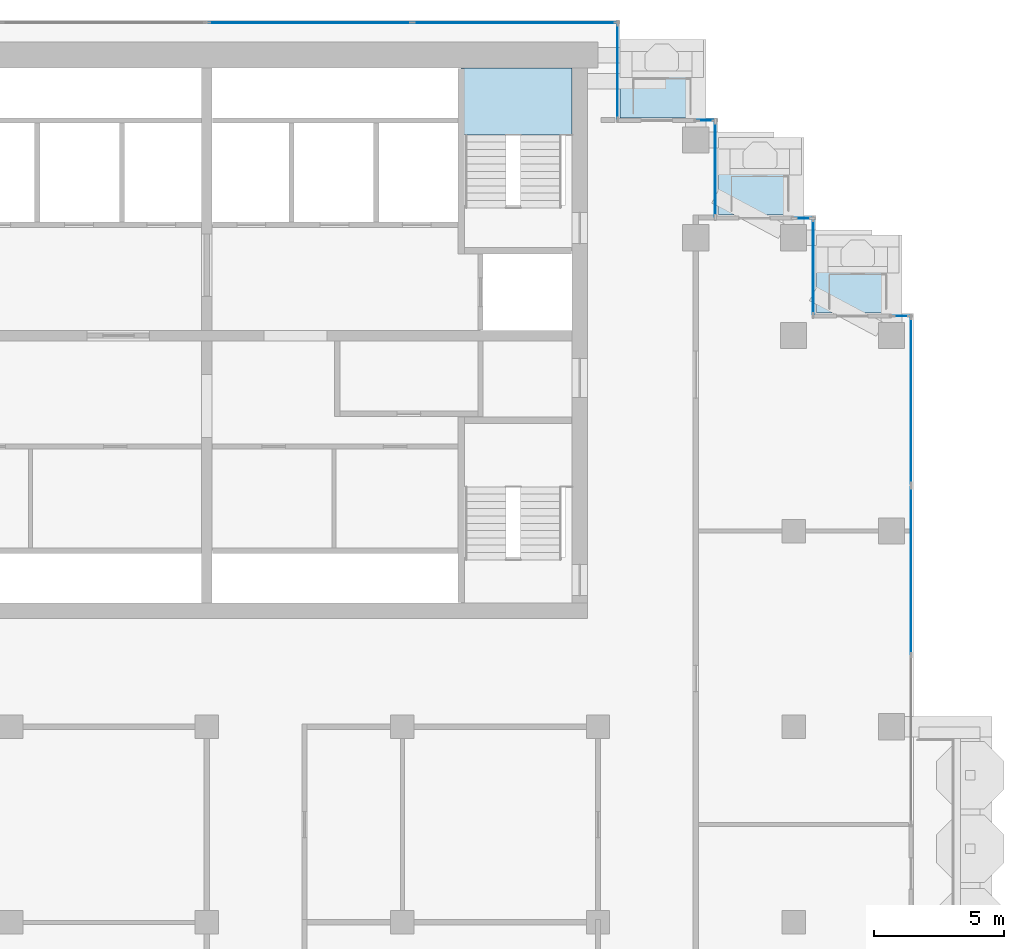
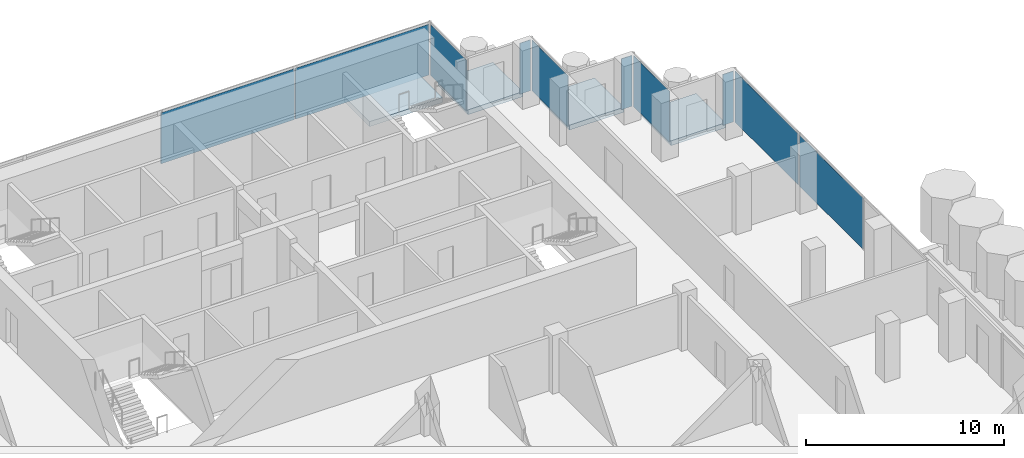
# One storey, part 10 of 18: 10 plates, 4 slabs, 10 elements without a shape of their own.
"""IFC4 building model written with IfcOpenShell, lengths in metres."""

from ifc_helpers import new_model, si_unit, direction, frame, origin, origin_2d, place, context, subcontext, project, spatial, polyline, rectangle, outline, extrude, material, layer, layer_set, type_object, element, aggregate, save


model = new_model("IFC4")

# Units and contexts
model_context = context("Model", 3, precision=1e-05, world=origin(), true_north=direction((0.0, 1.0)))
body_context = subcontext(model_context, "Body", "Model", "MODEL_VIEW")
ifc_project = project(units=[si_unit("LENGTHUNIT", "METRE"), si_unit("AREAUNIT", "SQUARE_METRE"), si_unit("VOLUMEUNIT", "CUBIC_METRE"), si_unit("PLANEANGLEUNIT", "RADIAN"), si_unit("MASSUNIT", "GRAM", prefix="KILO")], contexts=[model_context])

# Site, building, storey
site_placement = place(None, origin())
site = spatial("IfcSite", under=ifc_project, at=site_placement, CompositionType="ELEMENT")
building_placement = place(site_placement, origin())
building = spatial("IfcBuilding", under=site, at=building_placement, Name="Pilkhan Gate Tower", CompositionType="ELEMENT")
storey_placement = place(building_placement, frame((0.0, 0.0, 221.10009765625)))
storey = spatial("IfcBuildingStorey", under=building, at=storey_placement, Name="L57", CompositionType="ELEMENT", Elevation=221.10009765625)

# Slabs
ifc_material_1 = material(Name="Concrete C60/75", Category="concrete")
ifc_layer_1 = layer(ifc_material_1, 0.300048828125)
ifc_layer_set_1 = layer_set([ifc_layer_1], Name="Balcony tray slab TR300")
slab_type_1 = type_object("IfcSlabType", Name="Balcony tray slab TR300", PredefinedType="FLOOR", material=ifc_layer_set_1)
slab_1_placement = place(storey_placement, frame((0.0, 0.0, -0.300048828125)))
element("IfcSlab", 1, at=slab_1_placement, inside=storey, type_object=slab_type_1, Name="Balcony tray L57 N", PredefinedType="FLOOR", context=body_context, shape_type="SweptSolid", body=[
    extrude(outline(polyline([(94.050048828125, 90.85009765625), (94.050048828125, 93.85009765625), (90.85009765625, 93.85009765625), (90.85009765625, 90.85009765625), (94.050048828125, 90.85009765625)])), origin(), (0.0, 0.0, 1.0), 0.300048828125),
])
slab_2_placement = place(storey_placement, frame((0.0, 0.0, -0.300048828125)))
element("IfcSlab", 2, at=slab_2_placement, inside=storey, type_object=slab_type_1, Name="Balcony tray L57 N", PredefinedType="FLOOR", context=body_context, shape_type="SweptSolid", body=[
    extrude(outline(polyline([(97.800048828125, 87.1201171875), (97.800048828125, 90.10009765625), (94.6201171875, 90.10009765625), (94.6201171875, 87.1201171875), (97.800048828125, 87.1201171875)])), origin(), (0.0, 0.0, 1.0), 0.300048828125),
])
slab_3_placement = place(storey_placement, frame((0.0, 0.0, -0.300048828125)))
element("IfcSlab", 3, at=slab_3_placement, inside=storey, type_object=slab_type_1, Name="Balcony tray L57 N", PredefinedType="FLOOR", context=body_context, shape_type="SweptSolid", body=[
    extrude(outline(polyline([(101.550048828125, 83.3701171875), (101.550048828125, 86.35009765625), (98.3701171875, 86.35009765625), (98.3701171875, 83.3701171875), (101.550048828125, 83.3701171875)])), origin(), (0.0, 0.0, 1.0), 0.300048828125),
])

# Curtain wall, plate
ifc_material_2 = material(Name="Pale anodised aluminium, clear low-iron double glazing", Category="aluminium")
curtain_wall_type = type_object("IfcCurtainWallType", Name="Office unitised curtain wall CW-O2", PredefinedType="USERDEFINED", material=ifc_material_2)
curtain_wall_1_placement = place(storey_placement, origin())
curtain_wall_1 = element("IfcCurtainWall", 4, at=curtain_wall_1_placement, inside=storey, type_object=curtain_wall_type, Name="Office unitised curtain wall CW-O2 L57 E", ObjectType="UNITISED CURTAIN WALL", PredefinedType="USERDEFINED")
ifc_material_3 = material(Name="Clear low-iron double glazing", Category="glass")
ifc_layer_2 = layer(ifc_material_3, 0.031982421875)
ifc_layer_set_2 = layer_set([ifc_layer_2], Name="Glass panel CW-O2 32")
plate_type = type_object("IfcPlateType", Name="Glass panel CW-O2 32", PredefinedType="CURTAIN_PANEL", material=ifc_layer_set_2)
plate_1_placement = place(storey_placement, frame((102.0, 73.483642578125, 0.0), z_axis=(0.0, 0.0, 1.0), x_axis=(0.0, 1.0, 0.0)))
plate_1 = element("IfcPlate", 5, at=plate_1_placement, type_object=plate_type, Name="CW-O2 panel 2", PredefinedType="CURTAIN_PANEL", context=body_context, shape_type="SweptSolid", body=[
    extrude(rectangle(XDim=6.402587890625, YDim=0.031982421875, at=origin_2d()), origin(), (0.0, 0.0, 1.0), 3.135009765625),
])
aggregate(curtain_wall_1, [plate_1])

curtain_wall_2_placement = place(storey_placement, origin())
curtain_wall_2 = element("IfcCurtainWall", 6, at=curtain_wall_2_placement, inside=storey, type_object=curtain_wall_type, Name="Office unitised curtain wall CW-O2 L57 E", ObjectType="UNITISED CURTAIN WALL", PredefinedType="USERDEFINED")
plate_2_placement = place(storey_placement, frame((102.0, 80.0, 0.0), z_axis=(0.0, 0.0, 1.0), x_axis=(0.0, 1.0, 0.0)))
plate_2 = element("IfcPlate", 7, at=plate_2_placement, type_object=plate_type, Name="CW-O2 panel 1", PredefinedType="CURTAIN_PANEL", context=body_context, shape_type="SweptSolid", body=[
    extrude(rectangle(XDim=6.3701171875, YDim=0.031982421875, at=origin_2d()), origin(), (0.0, 0.0, 1.0), 3.135009765625),
])
aggregate(curtain_wall_2, [plate_2])

curtain_wall_3_placement = place(storey_placement, origin())
curtain_wall_3 = element("IfcCurtainWall", 8, at=curtain_wall_3_placement, inside=storey, type_object=curtain_wall_type, Name="Office unitised curtain wall CW-O2 L57 N", ObjectType="UNITISED CURTAIN WALL", PredefinedType="USERDEFINED")
plate_3_placement = place(storey_placement, frame((101.625, 83.25, 0.0), z_axis=(0.0, 0.0, 1.0), x_axis=(1.0, 0.0, 0.0)))
plate_3 = element("IfcPlate", 9, at=plate_3_placement, type_object=plate_type, Name="CW-O2 panel 1", PredefinedType="CURTAIN_PANEL", context=body_context, shape_type="SweptSolid", body=[
    extrude(rectangle(XDim=0.6201171875, YDim=0.031982421875, at=origin_2d()), origin(), (0.0, 0.0, 1.0), 3.135009765625),
])
aggregate(curtain_wall_3, [plate_3])

curtain_wall_4_placement = place(storey_placement, origin())
curtain_wall_4 = element("IfcCurtainWall", 10, at=curtain_wall_4_placement, inside=storey, type_object=curtain_wall_type, Name="Office unitised curtain wall CW-O2 L57 E", ObjectType="UNITISED CURTAIN WALL", PredefinedType="USERDEFINED")
plate_4_placement = place(storey_placement, frame((98.25, 85.125, 0.0), z_axis=(0.0, 0.0, 1.0), x_axis=(0.0, 1.0, 0.0)))
plate_4 = element("IfcPlate", 11, at=plate_4_placement, type_object=plate_type, Name="CW-O2 panel 1", PredefinedType="CURTAIN_PANEL", context=body_context, shape_type="SweptSolid", body=[
    extrude(rectangle(XDim=3.6201171875, YDim=0.031982421875, at=origin_2d()), origin(), (0.0, 0.0, 1.0), 3.135009765625),
])
aggregate(curtain_wall_4, [plate_4])

curtain_wall_5_placement = place(storey_placement, origin())
curtain_wall_5 = element("IfcCurtainWall", 12, at=curtain_wall_5_placement, inside=storey, type_object=curtain_wall_type, Name="Office unitised curtain wall CW-O2 L57 N", ObjectType="UNITISED CURTAIN WALL", PredefinedType="USERDEFINED")
plate_5_placement = place(storey_placement, frame((97.875, 87.0, 0.0), z_axis=(0.0, 0.0, 1.0), x_axis=(1.0, 0.0, 0.0)))
plate_5 = element("IfcPlate", 13, at=plate_5_placement, type_object=plate_type, Name="CW-O2 panel 1", PredefinedType="CURTAIN_PANEL", context=body_context, shape_type="SweptSolid", body=[
    extrude(rectangle(XDim=0.6201171875, YDim=0.031982421875, at=origin_2d()), origin(), (0.0, 0.0, 1.0), 3.135009765625),
])
aggregate(curtain_wall_5, [plate_5])

curtain_wall_6_placement = place(storey_placement, origin())
curtain_wall_6 = element("IfcCurtainWall", 14, at=curtain_wall_6_placement, inside=storey, type_object=curtain_wall_type, Name="Office unitised curtain wall CW-O2 L57 E", ObjectType="UNITISED CURTAIN WALL", PredefinedType="USERDEFINED")
plate_6_placement = place(storey_placement, frame((94.5, 88.875, 0.0), z_axis=(0.0, 0.0, 1.0), x_axis=(0.0, 1.0, 0.0)))
plate_6 = element("IfcPlate", 15, at=plate_6_placement, type_object=plate_type, Name="CW-O2 panel 1", PredefinedType="CURTAIN_PANEL", context=body_context, shape_type="SweptSolid", body=[
    extrude(rectangle(XDim=3.6201171875, YDim=0.031982421875, at=origin_2d()), origin(), (0.0, 0.0, 1.0), 3.135009765625),
])
aggregate(curtain_wall_6, [plate_6])

curtain_wall_7_placement = place(storey_placement, origin())
curtain_wall_7 = element("IfcCurtainWall", 16, at=curtain_wall_7_placement, inside=storey, type_object=curtain_wall_type, Name="Office unitised curtain wall CW-O2 L57 N", ObjectType="UNITISED CURTAIN WALL", PredefinedType="USERDEFINED")
plate_7_placement = place(storey_placement, frame((94.125, 90.75, 0.0), z_axis=(0.0, 0.0, 1.0), x_axis=(1.0, 0.0, 0.0)))
plate_7 = element("IfcPlate", 17, at=plate_7_placement, type_object=plate_type, Name="CW-O2 panel 1", PredefinedType="CURTAIN_PANEL", context=body_context, shape_type="SweptSolid", body=[
    extrude(rectangle(XDim=0.6201171875, YDim=0.031982421875, at=origin_2d()), origin(), (0.0, 0.0, 1.0), 3.135009765625),
])
aggregate(curtain_wall_7, [plate_7])

curtain_wall_8_placement = place(storey_placement, origin())
curtain_wall_8 = element("IfcCurtainWall", 18, at=curtain_wall_8_placement, inside=storey, type_object=curtain_wall_type, Name="Office unitised curtain wall CW-O2 L57 E", ObjectType="UNITISED CURTAIN WALL", PredefinedType="USERDEFINED")
plate_8_placement = place(storey_placement, frame((90.75, 92.625, 0.0), z_axis=(0.0, 0.0, 1.0), x_axis=(0.0, 1.0, 0.0)))
plate_8 = element("IfcPlate", 19, at=plate_8_placement, type_object=plate_type, Name="CW-O2 panel 1", PredefinedType="CURTAIN_PANEL", context=body_context, shape_type="SweptSolid", body=[
    extrude(rectangle(XDim=3.6201171875, YDim=0.031982421875, at=origin_2d()), origin(), (0.0, 0.0, 1.0), 3.135009765625),
])
aggregate(curtain_wall_8, [plate_8])

# Curtain wall, plates
curtain_wall_9_placement = place(storey_placement, origin())
curtain_wall_9 = element("IfcCurtainWall", 20, at=curtain_wall_9_placement, inside=storey, type_object=curtain_wall_type, Name="Office unitised curtain wall CW-O2 L57 N", ObjectType="UNITISED CURTAIN WALL", PredefinedType="USERDEFINED")
plate_9_placement = place(storey_placement, frame((78.953857421875, 94.5, 0.0), z_axis=(0.0, 0.0, 1.0), x_axis=(1.0, 0.0, 0.0)))
plate_9 = element("IfcPlate", 21, at=plate_9_placement, type_object=plate_type, Name="CW-O2 panel 1", PredefinedType="CURTAIN_PANEL", context=body_context, shape_type="SweptSolid", body=[
    extrude(rectangle(XDim=7.777587890625, YDim=0.031982421875, at=origin_2d()), origin(), (0.0, 0.0, 1.0), 3.135009765625),
])
plate_10_placement = place(storey_placement, frame((86.796142578125, 94.5, 0.0), z_axis=(0.0, 0.0, 1.0), x_axis=(1.0, 0.0, 0.0)))
plate_10 = element("IfcPlate", 22, at=plate_10_placement, type_object=plate_type, Name="CW-O2 panel 2", PredefinedType="CURTAIN_PANEL", context=body_context, shape_type="SweptSolid", body=[
    extrude(rectangle(XDim=7.777587890625, YDim=0.031982421875, at=origin_2d()), origin(), (0.0, 0.0, 1.0), 3.135009765625),
])
aggregate(curtain_wall_9, [plate_9, plate_10])

# Stair, slab
ifc_material_4 = material(Name="Concrete C40/50 precast", Category="concrete")
stair_type = type_object("IfcStairType", Name="Stair ST4 164x280", PredefinedType="HALF_TURN_STAIR", material=ifc_material_4)
stair_placement = place(storey_placement, origin())
stair = element("IfcStair", 23, at=stair_placement, inside=storey, type_object=stair_type, Name="Stair ST4 L57", PredefinedType="HALF_TURN_STAIR")
ifc_material_5 = material(Name="Concrete C40/50", Category="concrete")
ifc_layer_3 = layer(ifc_material_5, 0.199951171875)
ifc_layer_set_3 = layer_set([ifc_layer_3], Name="Stair landing SL200")
slab_type_2 = type_object("IfcSlabType", Name="Stair landing SL200", PredefinedType="LANDING", material=ifc_layer_set_3)
slab_4_placement = place(storey_placement, frame((0.0, 0.0, 1.5)))
slab_4 = element("IfcSlab", 24, at=slab_4_placement, type_object=slab_type_2, Name="ST4 landing 1", PredefinedType="LANDING", context=body_context, shape_type="SweptSolid", body=[
    extrude(outline(polyline([(89.0, 90.199951171875), (89.0, 92.75), (84.75, 92.75), (84.75, 90.199951171875), (89.0, 90.199951171875)])), origin(), (0.0, 0.0, 1.0), 0.2998046875),
])
aggregate(stair, [slab_4])

save(model, "model.ifc")
